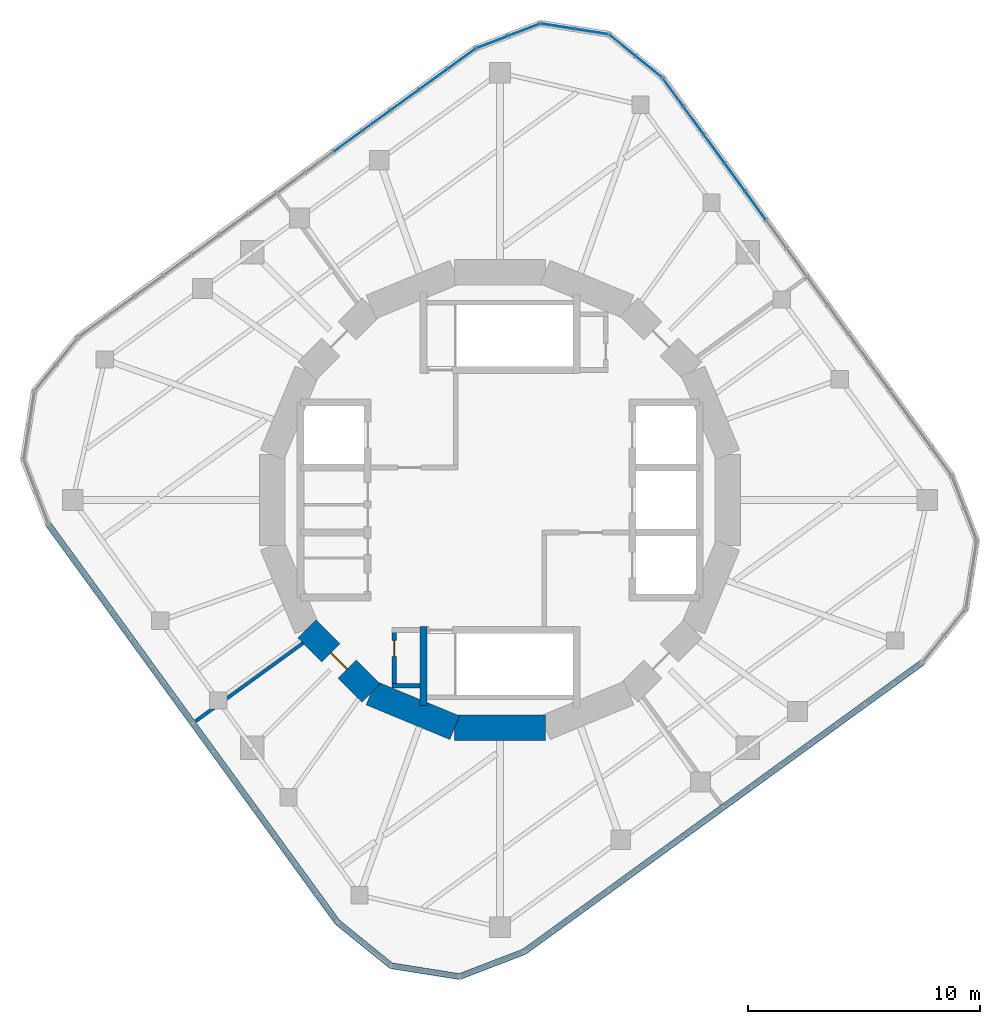
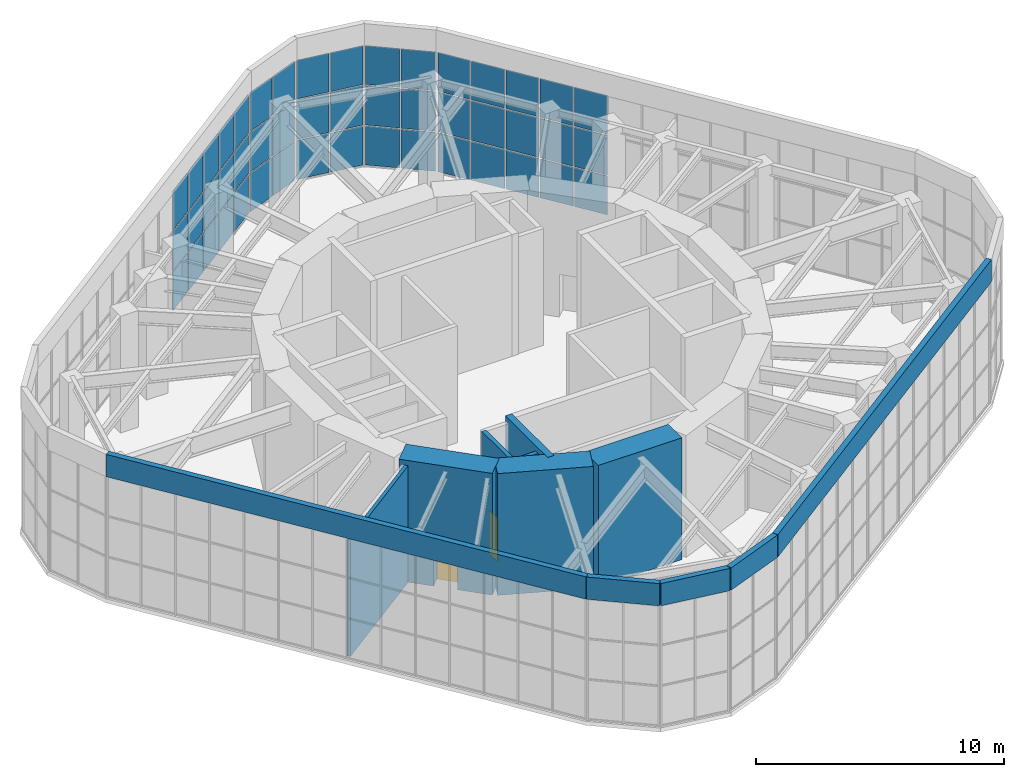
# One storey, part 14 of 17: 48 plates, 12 walls, 2 doors, 2 openings, 5 elements without a shape of their own.
"""IFC4 building model written with IfcOpenShell, lengths in metres."""

from ifc_helpers import new_model, si_unit, direction, frame, frame_2d, origin, origin_2d, place, context, subcontext, project, spatial, rectangle, extrude, material, layer, layer_set, type_object, element, fill, aggregate, save


model = new_model("IFC4")

# Units and contexts
model_context = context("Model", 3, precision=1e-05, world=origin(), true_north=direction((0.0, 1.0)))
body_context = subcontext(model_context, "Body", "Model", "MODEL_VIEW")
ifc_project = project(units=[si_unit("LENGTHUNIT", "METRE"), si_unit("AREAUNIT", "SQUARE_METRE"), si_unit("VOLUMEUNIT", "CUBIC_METRE"), si_unit("PLANEANGLEUNIT", "RADIAN"), si_unit("MASSUNIT", "GRAM", prefix="KILO")], contexts=[model_context])

# Site, building, storey
site_placement = place(None, origin())
site = spatial("IfcSite", under=ifc_project, at=site_placement, CompositionType="ELEMENT")
building_placement = place(site_placement, origin())
building = spatial("IfcBuilding", under=site, at=building_placement, Name="Nakasero Lantern House", CompositionType="ELEMENT")
storey_placement = place(building_placement, frame((0.0, 0.0, 304.39990234375)))
storey = spatial("IfcBuildingStorey", under=building, at=storey_placement, Name="L74", CompositionType="ELEMENT", Elevation=304.39990234375)

# Curtain wall, plates
ifc_material_1 = material(Name="Aluminium 6063-T6 and glass", Category="aluminium")
curtain_wall_type = type_object("IfcCurtainWallType", Name="Lantern glazing CW-4", PredefinedType="USERDEFINED", material=ifc_material_1)
curtain_wall_1_placement = place(storey_placement, origin())
curtain_wall_1 = element("IfcCurtainWall", 1, at=curtain_wall_1_placement, inside=storey, type_object=curtain_wall_type, Name="Curtain wall CW-4 L74", ObjectType="UNITISED CURTAIN WALL", PredefinedType="USERDEFINED")
ifc_material_2 = material(Name="Glass", Category="glass")
ifc_layer_1 = layer(ifc_material_2, 0.028076171875)
ifc_layer_set_1 = layer_set([ifc_layer_1], Name="Glazed panel CW-4")
plate_type = type_object("IfcPlateType", Name="Glazed panel CW-4", PredefinedType="CURTAIN_PANEL", material=ifc_layer_set_1)
plate_1_placement = place(storey_placement, frame((11.002197265625, 12.673095703125, 0.06005859375), z_axis=(0.0, 0.0, 1.0), x_axis=(-0.587785252292, 0.809016994375, 0.0)))
plate_1 = element("IfcPlate", 2, at=plate_1_placement, type_object=plate_type, Name="CW-4 panel 10.1", PredefinedType="CURTAIN_PANEL", context=body_context, shape_type="SweptSolid", body=[
    extrude(rectangle(XDim=1.454345703125, YDim=0.028076171875, at=origin_2d()), origin(), (0.0, 0.0, 1.0), 1.909912109375),
])
plate_2_placement = place(storey_placement, frame((11.002197265625, 12.673095703125, 2.030029296875), z_axis=(0.0, 0.0, 1.0), x_axis=(-0.587785252292, 0.809016994375, 0.0)))
plate_2 = element("IfcPlate", 3, at=plate_2_placement, type_object=plate_type, Name="CW-4 panel 10.2", PredefinedType="CURTAIN_PANEL", context=body_context, shape_type="SweptSolid", body=[
    extrude(rectangle(XDim=1.454345703125, YDim=0.028076171875, at=origin_2d()), origin(), (0.0, 0.0, 1.0), 1.93994140625),
])
plate_3_placement = place(storey_placement, frame((11.002197265625, 12.673095703125, 4.0302734375), z_axis=(0.0, 0.0, 1.0), x_axis=(-0.587785252292, 0.809016994375, 0.0)))
plate_3 = element("IfcPlate", 4, at=plate_3_placement, type_object=plate_type, Name="CW-4 panel 10.3", PredefinedType="CURTAIN_PANEL", context=body_context, shape_type="SweptSolid", body=[
    extrude(rectangle(XDim=1.454345703125, YDim=0.028076171875, at=origin_2d()), origin(), (0.0, 0.0, 1.0), 1.909912109375),
])
plate_4_placement = place(storey_placement, frame((10.112060546875, 13.898193359375, 0.06005859375), z_axis=(0.0, 0.0, 1.0), x_axis=(-0.587785252292, 0.809016994375, 0.0)))
plate_4 = element("IfcPlate", 5, at=plate_4_placement, type_object=plate_type, Name="CW-4 panel 11.1", PredefinedType="CURTAIN_PANEL", context=body_context, shape_type="SweptSolid", body=[
    extrude(rectangle(XDim=1.454345703125, YDim=0.028076171875, at=origin_2d()), origin(), (0.0, 0.0, 1.0), 1.909912109375),
])
plate_5_placement = place(storey_placement, frame((10.112060546875, 13.898193359375, 2.030029296875), z_axis=(0.0, 0.0, 1.0), x_axis=(-0.587785252292, 0.809016994375, 0.0)))
plate_5 = element("IfcPlate", 6, at=plate_5_placement, type_object=plate_type, Name="CW-4 panel 11.2", PredefinedType="CURTAIN_PANEL", context=body_context, shape_type="SweptSolid", body=[
    extrude(rectangle(XDim=1.454345703125, YDim=0.028076171875, at=origin_2d()), origin(), (0.0, 0.0, 1.0), 1.93994140625),
])
plate_6_placement = place(storey_placement, frame((10.112060546875, 13.898193359375, 4.0302734375), z_axis=(0.0, 0.0, 1.0), x_axis=(-0.587785252292, 0.809016994375, 0.0)))
plate_6 = element("IfcPlate", 7, at=plate_6_placement, type_object=plate_type, Name="CW-4 panel 11.3", PredefinedType="CURTAIN_PANEL", context=body_context, shape_type="SweptSolid", body=[
    extrude(rectangle(XDim=1.454345703125, YDim=0.028076171875, at=origin_2d()), origin(), (0.0, 0.0, 1.0), 1.909912109375),
])
plate_7_placement = place(storey_placement, frame((9.22216796875, 15.123046875, 0.06005859375), z_axis=(0.0, 0.0, 1.0), x_axis=(-0.587785252292, 0.809016994375, 0.0)))
plate_7 = element("IfcPlate", 8, at=plate_7_placement, type_object=plate_type, Name="CW-4 panel 12.1", PredefinedType="CURTAIN_PANEL", context=body_context, shape_type="SweptSolid", body=[
    extrude(rectangle(XDim=1.454345703125, YDim=0.028076171875, at=origin_2d()), origin(), (0.0, 0.0, 1.0), 1.909912109375),
])
plate_8_placement = place(storey_placement, frame((9.22216796875, 15.123046875, 2.030029296875), z_axis=(0.0, 0.0, 1.0), x_axis=(-0.587785252292, 0.809016994375, 0.0)))
plate_8 = element("IfcPlate", 9, at=plate_8_placement, type_object=plate_type, Name="CW-4 panel 12.2", PredefinedType="CURTAIN_PANEL", context=body_context, shape_type="SweptSolid", body=[
    extrude(rectangle(XDim=1.454345703125, YDim=0.028076171875, at=origin_2d()), origin(), (0.0, 0.0, 1.0), 1.93994140625),
])
plate_9_placement = place(storey_placement, frame((9.22216796875, 15.123046875, 4.0302734375), z_axis=(0.0, 0.0, 1.0), x_axis=(-0.587785252292, 0.809016994375, 0.0)))
plate_9 = element("IfcPlate", 10, at=plate_9_placement, type_object=plate_type, Name="CW-4 panel 12.3", PredefinedType="CURTAIN_PANEL", context=body_context, shape_type="SweptSolid", body=[
    extrude(rectangle(XDim=1.454345703125, YDim=0.028076171875, at=origin_2d()), origin(), (0.0, 0.0, 1.0), 1.909912109375),
])
plate_10_placement = place(storey_placement, frame((8.33203125, 16.34814453125, 0.06005859375), z_axis=(0.0, 0.0, 1.0), x_axis=(-0.587785252292, 0.809016994375, 0.0)))
plate_10 = element("IfcPlate", 11, at=plate_10_placement, type_object=plate_type, Name="CW-4 panel 13.1", PredefinedType="CURTAIN_PANEL", context=body_context, shape_type="SweptSolid", body=[
    extrude(rectangle(XDim=1.454345703125, YDim=0.028076171875, at=origin_2d()), origin(), (0.0, 0.0, 1.0), 1.909912109375),
])
plate_11_placement = place(storey_placement, frame((8.33203125, 16.34814453125, 2.030029296875), z_axis=(0.0, 0.0, 1.0), x_axis=(-0.587785252292, 0.809016994375, 0.0)))
plate_11 = element("IfcPlate", 12, at=plate_11_placement, type_object=plate_type, Name="CW-4 panel 13.2", PredefinedType="CURTAIN_PANEL", context=body_context, shape_type="SweptSolid", body=[
    extrude(rectangle(XDim=1.454345703125, YDim=0.028076171875, at=origin_2d()), origin(), (0.0, 0.0, 1.0), 1.93994140625),
])
plate_12_placement = place(storey_placement, frame((8.33203125, 16.34814453125, 4.0302734375), z_axis=(0.0, 0.0, 1.0), x_axis=(-0.587785252292, 0.809016994375, 0.0)))
plate_12 = element("IfcPlate", 13, at=plate_12_placement, type_object=plate_type, Name="CW-4 panel 13.3", PredefinedType="CURTAIN_PANEL", context=body_context, shape_type="SweptSolid", body=[
    extrude(rectangle(XDim=1.454345703125, YDim=0.028076171875, at=origin_2d()), origin(), (0.0, 0.0, 1.0), 1.909912109375),
])
plate_13_placement = place(storey_placement, frame((7.45068359375, 17.561279296875, 0.06005859375), z_axis=(0.0, 0.0, 1.0), x_axis=(-0.587785252292, 0.809016994375, 0.0)))
plate_13 = element("IfcPlate", 14, at=plate_13_placement, type_object=plate_type, Name="CW-4 panel 14.1", PredefinedType="CURTAIN_PANEL", context=body_context, shape_type="SweptSolid", body=[
    extrude(rectangle(XDim=1.42431640625, YDim=0.028076171875, at=origin_2d()), origin(), (0.0, 0.0, 1.0), 1.909912109375),
])
plate_14_placement = place(storey_placement, frame((7.45068359375, 17.561279296875, 2.030029296875), z_axis=(0.0, 0.0, 1.0), x_axis=(-0.587785252292, 0.809016994375, 0.0)))
plate_14 = element("IfcPlate", 15, at=plate_14_placement, type_object=plate_type, Name="CW-4 panel 14.2", PredefinedType="CURTAIN_PANEL", context=body_context, shape_type="SweptSolid", body=[
    extrude(rectangle(XDim=1.42431640625, YDim=0.028076171875, at=origin_2d()), origin(), (0.0, 0.0, 1.0), 1.93994140625),
])
plate_15_placement = place(storey_placement, frame((7.45068359375, 17.561279296875, 4.0302734375), z_axis=(0.0, 0.0, 1.0), x_axis=(-0.587785252292, 0.809016994375, 0.0)))
plate_15 = element("IfcPlate", 16, at=plate_15_placement, type_object=plate_type, Name="CW-4 panel 14.3", PredefinedType="CURTAIN_PANEL", context=body_context, shape_type="SweptSolid", body=[
    extrude(rectangle(XDim=1.42431640625, YDim=0.028076171875, at=origin_2d()), origin(), (0.0, 0.0, 1.0), 1.909912109375),
])
aggregate(curtain_wall_1, [plate_1, plate_2, plate_3, plate_4, plate_5, plate_6, plate_7, plate_8, plate_9, plate_10, plate_11, plate_12, plate_13, plate_14, plate_15])

curtain_wall_2_placement = place(storey_placement, origin())
curtain_wall_2 = element("IfcCurtainWall", 17, at=curtain_wall_2_placement, inside=storey, type_object=curtain_wall_type, Name="Curtain wall CW-4 L74", ObjectType="UNITISED CURTAIN WALL", PredefinedType="USERDEFINED")
plate_16_placement = place(storey_placement, frame((6.406982421875, 18.66357421875, 0.06005859375), z_axis=(0.0, 0.0, 1.0), x_axis=(-0.777145961424, 0.629320391091, 0.0)))
plate_16 = element("IfcPlate", 18, at=plate_16_placement, type_object=plate_type, Name="CW-4 panel 1.1", PredefinedType="CURTAIN_PANEL", context=body_context, shape_type="SweptSolid", body=[
    extrude(rectangle(XDim=1.398193359375, YDim=0.028076171875, at=origin_2d()), origin(), (0.0, 0.0, 1.0), 1.909912109375),
])
plate_17_placement = place(storey_placement, frame((6.406982421875, 18.66357421875, 2.030029296875), z_axis=(0.0, 0.0, 1.0), x_axis=(-0.777145961424, 0.629320391091, 0.0)))
plate_17 = element("IfcPlate", 19, at=plate_17_placement, type_object=plate_type, Name="CW-4 panel 1.2", PredefinedType="CURTAIN_PANEL", context=body_context, shape_type="SweptSolid", body=[
    extrude(rectangle(XDim=1.398193359375, YDim=0.028076171875, at=origin_2d()), origin(), (0.0, 0.0, 1.0), 1.93994140625),
])
plate_18_placement = place(storey_placement, frame((6.406982421875, 18.66357421875, 4.0302734375), z_axis=(0.0, 0.0, 1.0), x_axis=(-0.777145961424, 0.629320391091, 0.0)))
plate_18 = element("IfcPlate", 20, at=plate_18_placement, type_object=plate_type, Name="CW-4 panel 1.3", PredefinedType="CURTAIN_PANEL", context=body_context, shape_type="SweptSolid", body=[
    extrude(rectangle(XDim=1.398193359375, YDim=0.028076171875, at=origin_2d()), origin(), (0.0, 0.0, 1.0), 1.909912109375),
])
plate_19_placement = place(storey_placement, frame((5.273681640625, 19.581298828125, 0.06005859375), z_axis=(0.0, 0.0, 1.0), x_axis=(-0.777145961424, 0.629320391091, 0.0)))
plate_19 = element("IfcPlate", 21, at=plate_19_placement, type_object=plate_type, Name="CW-4 panel 2.1", PredefinedType="CURTAIN_PANEL", context=body_context, shape_type="SweptSolid", body=[
    extrude(rectangle(XDim=1.398193359375, YDim=0.028076171875, at=origin_2d()), origin(), (0.0, 0.0, 1.0), 1.909912109375),
])
plate_20_placement = place(storey_placement, frame((5.273681640625, 19.581298828125, 2.030029296875), z_axis=(0.0, 0.0, 1.0), x_axis=(-0.777145961424, 0.629320391091, 0.0)))
plate_20 = element("IfcPlate", 22, at=plate_20_placement, type_object=plate_type, Name="CW-4 panel 2.2", PredefinedType="CURTAIN_PANEL", context=body_context, shape_type="SweptSolid", body=[
    extrude(rectangle(XDim=1.398193359375, YDim=0.028076171875, at=origin_2d()), origin(), (0.0, 0.0, 1.0), 1.93994140625),
])
plate_21_placement = place(storey_placement, frame((5.273681640625, 19.581298828125, 4.0302734375), z_axis=(0.0, 0.0, 1.0), x_axis=(-0.777145961424, 0.629320391091, 0.0)))
plate_21 = element("IfcPlate", 23, at=plate_21_placement, type_object=plate_type, Name="CW-4 panel 2.3", PredefinedType="CURTAIN_PANEL", context=body_context, shape_type="SweptSolid", body=[
    extrude(rectangle(XDim=1.398193359375, YDim=0.028076171875, at=origin_2d()), origin(), (0.0, 0.0, 1.0), 1.909912109375),
])
aggregate(curtain_wall_2, [plate_16, plate_17, plate_18, plate_19, plate_20, plate_21])

curtain_wall_3_placement = place(storey_placement, origin())
curtain_wall_3 = element("IfcCurtainWall", 24, at=curtain_wall_3_placement, inside=storey, type_object=curtain_wall_type, Name="Curtain wall CW-4 L74", ObjectType="UNITISED CURTAIN WALL", PredefinedType="USERDEFINED")
plate_22_placement = place(storey_placement, frame((3.93408203125, 20.177734375, 0.06005859375), z_axis=(0.0, 0.0, 1.0), x_axis=(-0.987688340595, 0.15643446504, 0.0)))
plate_22 = element("IfcPlate", 25, at=plate_22_placement, type_object=plate_type, Name="CW-4 panel 1.1", PredefinedType="CURTAIN_PANEL", context=body_context, shape_type="SweptSolid", body=[
    extrude(rectangle(XDim=1.398193359375, YDim=0.028076171875, at=origin_2d()), origin(), (0.0, 0.0, 1.0), 1.909912109375),
])
plate_23_placement = place(storey_placement, frame((3.93408203125, 20.177734375, 2.030029296875), z_axis=(0.0, 0.0, 1.0), x_axis=(-0.987688340595, 0.15643446504, 0.0)))
plate_23 = element("IfcPlate", 26, at=plate_23_placement, type_object=plate_type, Name="CW-4 panel 1.2", PredefinedType="CURTAIN_PANEL", context=body_context, shape_type="SweptSolid", body=[
    extrude(rectangle(XDim=1.398193359375, YDim=0.028076171875, at=origin_2d()), origin(), (0.0, 0.0, 1.0), 1.93994140625),
])
plate_24_placement = place(storey_placement, frame((3.93408203125, 20.177734375, 4.0302734375), z_axis=(0.0, 0.0, 1.0), x_axis=(-0.987688340595, 0.15643446504, 0.0)))
plate_24 = element("IfcPlate", 27, at=plate_24_placement, type_object=plate_type, Name="CW-4 panel 1.3", PredefinedType="CURTAIN_PANEL", context=body_context, shape_type="SweptSolid", body=[
    extrude(rectangle(XDim=1.398193359375, YDim=0.028076171875, at=origin_2d()), origin(), (0.0, 0.0, 1.0), 1.909912109375),
])
plate_25_placement = place(storey_placement, frame((2.493896484375, 20.40576171875, 0.06005859375), z_axis=(0.0, 0.0, 1.0), x_axis=(-0.987688340595, 0.15643446504, 0.0)))
plate_25 = element("IfcPlate", 28, at=plate_25_placement, type_object=plate_type, Name="CW-4 panel 2.1", PredefinedType="CURTAIN_PANEL", context=body_context, shape_type="SweptSolid", body=[
    extrude(rectangle(XDim=1.398193359375, YDim=0.028076171875, at=origin_2d()), origin(), (0.0, 0.0, 1.0), 1.909912109375),
])
plate_26_placement = place(storey_placement, frame((2.493896484375, 20.40576171875, 2.030029296875), z_axis=(0.0, 0.0, 1.0), x_axis=(-0.987688340595, 0.15643446504, 0.0)))
plate_26 = element("IfcPlate", 29, at=plate_26_placement, type_object=plate_type, Name="CW-4 panel 2.2", PredefinedType="CURTAIN_PANEL", context=body_context, shape_type="SweptSolid", body=[
    extrude(rectangle(XDim=1.398193359375, YDim=0.028076171875, at=origin_2d()), origin(), (0.0, 0.0, 1.0), 1.93994140625),
])
plate_27_placement = place(storey_placement, frame((2.493896484375, 20.40576171875, 4.0302734375), z_axis=(0.0, 0.0, 1.0), x_axis=(-0.987688340595, 0.15643446504, 0.0)))
plate_27 = element("IfcPlate", 30, at=plate_27_placement, type_object=plate_type, Name="CW-4 panel 2.3", PredefinedType="CURTAIN_PANEL", context=body_context, shape_type="SweptSolid", body=[
    extrude(rectangle(XDim=1.398193359375, YDim=0.028076171875, at=origin_2d()), origin(), (0.0, 0.0, 1.0), 1.909912109375),
])
aggregate(curtain_wall_3, [plate_22, plate_23, plate_24, plate_25, plate_26, plate_27])

curtain_wall_4_placement = place(storey_placement, origin())
curtain_wall_4 = element("IfcCurtainWall", 31, at=curtain_wall_4_placement, inside=storey, type_object=curtain_wall_type, Name="Curtain wall CW-4 L74", ObjectType="UNITISED CURTAIN WALL", PredefinedType="USERDEFINED")
plate_28_placement = place(storey_placement, frame((1.035400390625, 20.252685546875, 0.06005859375), z_axis=(0.0, 0.0, 1.0), x_axis=(-0.933580426472, -0.35836794961, 0.0)))
plate_28 = element("IfcPlate", 32, at=plate_28_placement, type_object=plate_type, Name="CW-4 panel 1.1", PredefinedType="CURTAIN_PANEL", context=body_context, shape_type="SweptSolid", body=[
    extrude(rectangle(XDim=1.398193359375, YDim=0.028076171875, at=origin_2d()), origin(), (0.0, 0.0, 1.0), 1.909912109375),
])
plate_29_placement = place(storey_placement, frame((1.035400390625, 20.252685546875, 2.030029296875), z_axis=(0.0, 0.0, 1.0), x_axis=(-0.933580426472, -0.35836794961, 0.0)))
plate_29 = element("IfcPlate", 33, at=plate_29_placement, type_object=plate_type, Name="CW-4 panel 1.2", PredefinedType="CURTAIN_PANEL", context=body_context, shape_type="SweptSolid", body=[
    extrude(rectangle(XDim=1.398193359375, YDim=0.028076171875, at=origin_2d()), origin(), (0.0, 0.0, 1.0), 1.93994140625),
])
plate_30_placement = place(storey_placement, frame((1.035400390625, 20.252685546875, 4.0302734375), z_axis=(0.0, 0.0, 1.0), x_axis=(-0.933580426472, -0.35836794961, 0.0)))
plate_30 = element("IfcPlate", 34, at=plate_30_placement, type_object=plate_type, Name="CW-4 panel 1.3", PredefinedType="CURTAIN_PANEL", context=body_context, shape_type="SweptSolid", body=[
    extrude(rectangle(XDim=1.398193359375, YDim=0.028076171875, at=origin_2d()), origin(), (0.0, 0.0, 1.0), 1.909912109375),
])
plate_31_placement = place(storey_placement, frame((-0.325927734375, 19.72998046875, 0.06005859375), z_axis=(0.0, 0.0, 1.0), x_axis=(-0.933580426472, -0.35836794961, 0.0)))
plate_31 = element("IfcPlate", 35, at=plate_31_placement, type_object=plate_type, Name="CW-4 panel 2.1", PredefinedType="CURTAIN_PANEL", context=body_context, shape_type="SweptSolid", body=[
    extrude(rectangle(XDim=1.398193359375, YDim=0.028076171875, at=origin_2d()), origin(), (0.0, 0.0, 1.0), 1.909912109375),
])
plate_32_placement = place(storey_placement, frame((-0.325927734375, 19.72998046875, 2.030029296875), z_axis=(0.0, 0.0, 1.0), x_axis=(-0.933580426472, -0.35836794961, 0.0)))
plate_32 = element("IfcPlate", 36, at=plate_32_placement, type_object=plate_type, Name="CW-4 panel 2.2", PredefinedType="CURTAIN_PANEL", context=body_context, shape_type="SweptSolid", body=[
    extrude(rectangle(XDim=1.398193359375, YDim=0.028076171875, at=origin_2d()), origin(), (0.0, 0.0, 1.0), 1.93994140625),
])
plate_33_placement = place(storey_placement, frame((-0.325927734375, 19.72998046875, 4.0302734375), z_axis=(0.0, 0.0, 1.0), x_axis=(-0.933580426472, -0.35836794961, 0.0)))
plate_33 = element("IfcPlate", 37, at=plate_33_placement, type_object=plate_type, Name="CW-4 panel 2.3", PredefinedType="CURTAIN_PANEL", context=body_context, shape_type="SweptSolid", body=[
    extrude(rectangle(XDim=1.398193359375, YDim=0.028076171875, at=origin_2d()), origin(), (0.0, 0.0, 1.0), 1.909912109375),
])
aggregate(curtain_wall_4, [plate_28, plate_29, plate_30, plate_31, plate_32, plate_33])

curtain_wall_5_placement = place(storey_placement, origin())
curtain_wall_5 = element("IfcCurtainWall", 38, at=curtain_wall_5_placement, inside=storey, type_object=curtain_wall_type, Name="Curtain wall CW-4 L74", ObjectType="UNITISED CURTAIN WALL", PredefinedType="USERDEFINED")
plate_34_placement = place(storey_placement, frame((-1.659423828125, 19.004150390625, 0.06005859375), z_axis=(0.0, 0.0, 1.0), x_axis=(-0.809016994375, -0.587785252292, 0.0)))
plate_34 = element("IfcPlate", 39, at=plate_34_placement, type_object=plate_type, Name="CW-4 panel 1.1", PredefinedType="CURTAIN_PANEL", context=body_context, shape_type="SweptSolid", body=[
    extrude(rectangle(XDim=1.42431640625, YDim=0.028076171875, at=origin_2d()), origin(), (0.0, 0.0, 1.0), 1.909912109375),
])
plate_35_placement = place(storey_placement, frame((-1.659423828125, 19.004150390625, 2.030029296875), z_axis=(0.0, 0.0, 1.0), x_axis=(-0.809016994375, -0.587785252292, 0.0)))
plate_35 = element("IfcPlate", 40, at=plate_35_placement, type_object=plate_type, Name="CW-4 panel 1.2", PredefinedType="CURTAIN_PANEL", context=body_context, shape_type="SweptSolid", body=[
    extrude(rectangle(XDim=1.42431640625, YDim=0.028076171875, at=origin_2d()), origin(), (0.0, 0.0, 1.0), 1.93994140625),
])
plate_36_placement = place(storey_placement, frame((-1.659423828125, 19.004150390625, 4.0302734375), z_axis=(0.0, 0.0, 1.0), x_axis=(-0.809016994375, -0.587785252292, 0.0)))
plate_36 = element("IfcPlate", 41, at=plate_36_placement, type_object=plate_type, Name="CW-4 panel 1.3", PredefinedType="CURTAIN_PANEL", context=body_context, shape_type="SweptSolid", body=[
    extrude(rectangle(XDim=1.42431640625, YDim=0.028076171875, at=origin_2d()), origin(), (0.0, 0.0, 1.0), 1.909912109375),
])
plate_37_placement = place(storey_placement, frame((-2.872314453125, 18.122802734375, 0.06005859375), z_axis=(0.0, 0.0, 1.0), x_axis=(-0.809016994375, -0.587785252292, 0.0)))
plate_37 = element("IfcPlate", 42, at=plate_37_placement, type_object=plate_type, Name="CW-4 panel 2.1", PredefinedType="CURTAIN_PANEL", context=body_context, shape_type="SweptSolid", body=[
    extrude(rectangle(XDim=1.454345703125, YDim=0.028076171875, at=origin_2d()), origin(), (0.0, 0.0, 1.0), 1.909912109375),
])
plate_38_placement = place(storey_placement, frame((-2.872314453125, 18.122802734375, 2.030029296875), z_axis=(0.0, 0.0, 1.0), x_axis=(-0.809016994375, -0.587785252292, 0.0)))
plate_38 = element("IfcPlate", 43, at=plate_38_placement, type_object=plate_type, Name="CW-4 panel 2.2", PredefinedType="CURTAIN_PANEL", context=body_context, shape_type="SweptSolid", body=[
    extrude(rectangle(XDim=1.454345703125, YDim=0.028076171875, at=origin_2d()), origin(), (0.0, 0.0, 1.0), 1.93994140625),
])
plate_39_placement = place(storey_placement, frame((-2.872314453125, 18.122802734375, 4.0302734375), z_axis=(0.0, 0.0, 1.0), x_axis=(-0.809016994375, -0.587785252292, 0.0)))
plate_39 = element("IfcPlate", 44, at=plate_39_placement, type_object=plate_type, Name="CW-4 panel 2.3", PredefinedType="CURTAIN_PANEL", context=body_context, shape_type="SweptSolid", body=[
    extrude(rectangle(XDim=1.454345703125, YDim=0.028076171875, at=origin_2d()), origin(), (0.0, 0.0, 1.0), 1.909912109375),
])
plate_40_placement = place(storey_placement, frame((-4.097412109375, 17.232666015625, 0.06005859375), z_axis=(0.0, 0.0, 1.0), x_axis=(-0.809016994375, -0.587785252292, 0.0)))
plate_40 = element("IfcPlate", 45, at=plate_40_placement, type_object=plate_type, Name="CW-4 panel 3.1", PredefinedType="CURTAIN_PANEL", context=body_context, shape_type="SweptSolid", body=[
    extrude(rectangle(XDim=1.454345703125, YDim=0.028076171875, at=origin_2d()), origin(), (0.0, 0.0, 1.0), 1.909912109375),
])
plate_41_placement = place(storey_placement, frame((-4.097412109375, 17.232666015625, 2.030029296875), z_axis=(0.0, 0.0, 1.0), x_axis=(-0.809016994375, -0.587785252292, 0.0)))
plate_41 = element("IfcPlate", 46, at=plate_41_placement, type_object=plate_type, Name="CW-4 panel 3.2", PredefinedType="CURTAIN_PANEL", context=body_context, shape_type="SweptSolid", body=[
    extrude(rectangle(XDim=1.454345703125, YDim=0.028076171875, at=origin_2d()), origin(), (0.0, 0.0, 1.0), 1.93994140625),
])
plate_42_placement = place(storey_placement, frame((-4.097412109375, 17.232666015625, 4.0302734375), z_axis=(0.0, 0.0, 1.0), x_axis=(-0.809016994375, -0.587785252292, 0.0)))
plate_42 = element("IfcPlate", 47, at=plate_42_placement, type_object=plate_type, Name="CW-4 panel 3.3", PredefinedType="CURTAIN_PANEL", context=body_context, shape_type="SweptSolid", body=[
    extrude(rectangle(XDim=1.454345703125, YDim=0.028076171875, at=origin_2d()), origin(), (0.0, 0.0, 1.0), 1.909912109375),
])
plate_43_placement = place(storey_placement, frame((-5.322509765625, 16.3427734375, 0.06005859375), z_axis=(0.0, 0.0, 1.0), x_axis=(-0.809016994375, -0.587785252292, 0.0)))
plate_43 = element("IfcPlate", 48, at=plate_43_placement, type_object=plate_type, Name="CW-4 panel 4.1", PredefinedType="CURTAIN_PANEL", context=body_context, shape_type="SweptSolid", body=[
    extrude(rectangle(XDim=1.454345703125, YDim=0.028076171875, at=origin_2d()), origin(), (0.0, 0.0, 1.0), 1.909912109375),
])
plate_44_placement = place(storey_placement, frame((-5.322509765625, 16.3427734375, 2.030029296875), z_axis=(0.0, 0.0, 1.0), x_axis=(-0.809016994375, -0.587785252292, 0.0)))
plate_44 = element("IfcPlate", 49, at=plate_44_placement, type_object=plate_type, Name="CW-4 panel 4.2", PredefinedType="CURTAIN_PANEL", context=body_context, shape_type="SweptSolid", body=[
    extrude(rectangle(XDim=1.454345703125, YDim=0.028076171875, at=origin_2d()), origin(), (0.0, 0.0, 1.0), 1.93994140625),
])
plate_45_placement = place(storey_placement, frame((-5.322509765625, 16.3427734375, 4.0302734375), z_axis=(0.0, 0.0, 1.0), x_axis=(-0.809016994375, -0.587785252292, 0.0)))
plate_45 = element("IfcPlate", 50, at=plate_45_placement, type_object=plate_type, Name="CW-4 panel 4.3", PredefinedType="CURTAIN_PANEL", context=body_context, shape_type="SweptSolid", body=[
    extrude(rectangle(XDim=1.454345703125, YDim=0.028076171875, at=origin_2d()), origin(), (0.0, 0.0, 1.0), 1.909912109375),
])
plate_46_placement = place(storey_placement, frame((-6.547607421875, 15.45263671875, 0.06005859375), z_axis=(0.0, 0.0, 1.0), x_axis=(-0.809016994375, -0.587785252292, 0.0)))
plate_46 = element("IfcPlate", 51, at=plate_46_placement, type_object=plate_type, Name="CW-4 panel 5.1", PredefinedType="CURTAIN_PANEL", context=body_context, shape_type="SweptSolid", body=[
    extrude(rectangle(XDim=1.454345703125, YDim=0.028076171875, at=origin_2d()), origin(), (0.0, 0.0, 1.0), 1.909912109375),
])
plate_47_placement = place(storey_placement, frame((-6.547607421875, 15.45263671875, 2.030029296875), z_axis=(0.0, 0.0, 1.0), x_axis=(-0.809016994375, -0.587785252292, 0.0)))
plate_47 = element("IfcPlate", 52, at=plate_47_placement, type_object=plate_type, Name="CW-4 panel 5.2", PredefinedType="CURTAIN_PANEL", context=body_context, shape_type="SweptSolid", body=[
    extrude(rectangle(XDim=1.454345703125, YDim=0.028076171875, at=origin_2d()), origin(), (0.0, 0.0, 1.0), 1.93994140625),
])
plate_48_placement = place(storey_placement, frame((-6.547607421875, 15.45263671875, 4.0302734375), z_axis=(0.0, 0.0, 1.0), x_axis=(-0.809016994375, -0.587785252292, 0.0)))
plate_48 = element("IfcPlate", 53, at=plate_48_placement, type_object=plate_type, Name="CW-4 panel 5.3", PredefinedType="CURTAIN_PANEL", context=body_context, shape_type="SweptSolid", body=[
    extrude(rectangle(XDim=1.454345703125, YDim=0.028076171875, at=origin_2d()), origin(), (0.0, 0.0, 1.0), 1.909912109375),
])
aggregate(curtain_wall_5, [plate_34, plate_35, plate_36, plate_37, plate_38, plate_39, plate_40, plate_41, plate_42, plate_43, plate_44, plate_45, plate_46, plate_47, plate_48])

# Wall
ifc_material_3 = material(Name="Concrete C50/60", Category="concrete")
ifc_layer_2 = layer(ifc_material_3, 0.300048828125)
ifc_layer_set_2 = layer_set([ifc_layer_2], Name="Core inner wall 300")
wall_type_1 = type_object("IfcWallType", Name="Core inner wall 300", PredefinedType="SHEAR", material=ifc_layer_set_2)
wall_1_placement = place(storey_placement, frame((-3.300048828125, -5.449951171875, 0.0), z_axis=(0.0, 0.0, 1.0), x_axis=(0.0, -1.0, 0.0)))
element("IfcWall", 54, at=wall_1_placement, inside=storey, type_object=wall_type_1, Name="Core inner wall L74 SSW", PredefinedType="SHEAR", context=body_context, shape_type="SweptSolid", body=[
    extrude(rectangle(XDim=3.400146484375, YDim=0.300048828125, at=frame_2d((1.7001953125, 0.0))), origin(), (0.0, 0.0, 1.0), 6.0),
])

# Wall, opening, door
ifc_material_4 = material(Name="Concrete C50/60", Category="concrete")
ifc_layer_3 = layer(ifc_material_4, 1.10009765625)
ifc_layer_set_3 = layer_set([ifc_layer_3], Name="Core wall 1100")
wall_type_2 = type_object("IfcWallType", Name="Core wall 1100", PredefinedType="SHEAR", material=ifc_layer_set_3)
wall_2_placement = place(storey_placement, frame((-8.314697265625, -5.5556640625, 0.0), z_axis=(0.0, 0.0, 1.0), x_axis=(0.707106781187, -0.707106781187, 0.0)))
wall_2 = element("IfcWall", 55, at=wall_2_placement, inside=storey, type_object=wall_type_2, Name="Core wall L74 facet 10", PredefinedType="SHEAR", context=body_context, shape_type="SweptSolid", body=[
    extrude(rectangle(XDim=3.90185546875, YDim=1.10009765625, at=frame_2d((1.950927734375, 0.0))), origin(), (0.0, 0.0, 1.0), 6.0),
])
opening_1_placement = place(wall_2_placement, frame((1.450927734375, 0.0, 0.0)))
opening_1 = element("IfcOpeningElement", 56, at=opening_1_placement, cuts=wall_2, Name="Opening D05", PredefinedType="OPENING", context=body_context, shape_type="SweptSolid", body=[
    extrude(rectangle(XDim=1.0, YDim=2.10009765625, at=frame_2d((0.5, 1.050048828125))), frame((0.0, 0.570068359375, 0.0), z_axis=(0.0, -1.0, 0.0), x_axis=(1.0, 0.0, 0.0)), (0.0, 0.0, 1.0), 1.14013671875),
])
ifc_material_5 = material(Name="Timber C24", Category="wood")
door_type_1 = type_object("IfcDoorType", Name="Core door FD60S 1000", OperationType="SINGLE_SWING_LEFT", PredefinedType="DOOR", material=ifc_material_5)
door_1_placement = place(opening_1_placement, origin())
door_1 = element("IfcDoor", 57, at=door_1_placement, inside=storey, type_object=door_type_1, Name="Door L74 D-CORE10", OperationType="SINGLE_SWING_LEFT", OverallHeight=2.10009765625, OverallWidth=1.0, PredefinedType="DOOR", context=body_context, shape_type="SweptSolid", body=[
    extrude(rectangle(XDim=1.0, YDim=2.10009765625, at=frame_2d((0.5, 1.050048828125))), frame((0.0, 0.02490234375, 0.0), z_axis=(0.0, -1.0, 0.0), x_axis=(1.0, 0.0, 0.0)), (0.0, 0.0, 1.0), 0.050048828125),
])
fill(opening_1, door_1)

# Walls
for number, where, z_axis, x_axis, name in (
    (58, (-5.5556640625, -8.314697265625, 0.0), (0.0, 0.0, 1.0), (0.923876507187, -0.382690736062, 0.0), "Core wall L74 facet 11"),
    (59, (-1.950927734375, -9.807861328125, 0.0), (0.0, 0.0, 1.0), (1.0, 0.0, 0.0), "Core wall L74 facet 12"),
):
    element("IfcWall", number, at=place(storey_placement, frame(where, z_axis=z_axis, x_axis=x_axis)), inside=storey, type_object=wall_type_2, Name=name, PredefinedType="SHEAR", context=body_context, shape_type="SweptSolid", body=[
        extrude(rectangle(XDim=3.90185546875, YDim=1.10009765625, at=frame_2d((1.950927734375, 0.0))), origin(), (0.0, 0.0, 1.0), 6.0),
    ])

# Wall, opening, door
ifc_material_6 = material(Name="Blockwork", Category="masonry")
ifc_layer_4 = layer(ifc_material_6, 0.199951171875)
ifc_layer_set_4 = layer_set([ifc_layer_4], Name="Fire lobby wall 200")
wall_type_3 = type_object("IfcWallType", Name="Fire lobby wall 200", PredefinedType="PARTITIONING", material=ifc_layer_set_4)
wall_3_placement = place(storey_placement, frame((-4.550048828125, -5.60009765625, 0.0), z_axis=(0.0, 0.0, 1.0), x_axis=(0.0, -1.0, 0.0)))
wall_3 = element("IfcWall", 60, at=wall_3_placement, inside=storey, type_object=wall_type_3, Name="Fire lobby wall L74 W-RS2W", PredefinedType="PARTITIONING", context=body_context, shape_type="SweptSolid", body=[
    extrude(rectangle(XDim=2.39990234375, YDim=0.199951171875, at=frame_2d((1.199951171875, 0.0))), origin(), (0.0, 0.0, 1.0), 5.75),
])
opening_2_placement = place(wall_3_placement, frame((0.449951171875, 0.0, 0.0)))
opening_2 = element("IfcOpeningElement", 61, at=opening_2_placement, cuts=wall_3, Name="Opening D06", PredefinedType="OPENING", context=body_context, shape_type="SweptSolid", body=[
    extrude(rectangle(XDim=0.699951171875, YDim=2.10009765625, at=frame_2d((0.35009765625, 1.050048828125))), frame((0.0, 0.119873046875, 0.0), z_axis=(0.0, -1.0, 0.0), x_axis=(1.0, 0.0, 0.0)), (0.0, 0.0, 1.0), 0.239990234375),
])
ifc_material_7 = material(Name="Steel S355", Category="steel")
door_type_2 = type_object("IfcDoorType", Name="Riser door FD60 700", OperationType="SINGLE_SWING_LEFT", PredefinedType="DOOR", material=ifc_material_7)
door_2_placement = place(opening_2_placement, origin())
door_2 = element("IfcDoor", 62, at=door_2_placement, inside=storey, type_object=door_type_2, Name="Door L74 D-RS2", OperationType="SINGLE_SWING_LEFT", OverallHeight=2.10009765625, OverallWidth=0.699951171875, PredefinedType="DOOR", context=body_context, shape_type="SweptSolid", body=[
    extrude(rectangle(XDim=0.699951171875, YDim=2.10009765625, at=frame_2d((0.35009765625, 1.050048828125))), frame((0.0, 0.02490234375, 0.0), z_axis=(0.0, -1.0, 0.0), x_axis=(1.0, 0.0, 0.0)), (0.0, 0.0, 1.0), 0.050048828125),
])
fill(opening_2, door_2)

# Walls
wall_4_placement = place(storey_placement, frame((-3.449951171875, -8.0, 0.0), z_axis=(0.0, 0.0, 1.0), x_axis=(-1.0, 0.0, 0.0)))
element("IfcWall", 63, at=wall_4_placement, inside=storey, type_object=wall_type_3, Name="Fire lobby wall L74 W-RS2S", PredefinedType="PARTITIONING", context=body_context, shape_type="SweptSolid", body=[
    extrude(rectangle(XDim=1.199951171875, YDim=0.199951171875, at=frame_2d((0.60009765625, 0.0))), origin(), (0.0, 0.0, 1.0), 5.75),
])
ifc_material_8 = material(Name="Concrete C35/45", Category="concrete")
ifc_layer_5 = layer(ifc_material_8, 0.25)
ifc_layer_set_5 = layer_set([ifc_layer_5], Name="Parapet 250")
wall_type_4 = type_object("IfcWallType", Name="Parapet 250", PredefinedType="SOLIDWALL", material=ifc_layer_set_5)
wall_5_placement = place(storey_placement, frame((-19.4580078125, -1.03466796875, 6.0), z_axis=(0.0, 0.0, 1.0), x_axis=(0.587790233451, -0.809013375328, 0.0)))
element("IfcWall", 64, at=wall_5_placement, inside=storey, type_object=wall_type_4, Name="Roof parapet RP2S", PredefinedType="SOLIDWALL", context=body_context, shape_type="SweptSolid", body=[
    extrude(rectangle(XDim=21.199951171875, YDim=0.25, at=frame_2d((10.60009765625, 0.0))), origin(), (0.0, 0.0, 1.0), 1.10009765625),
])
wall_6_placement = place(storey_placement, frame((-6.996826171875, -18.185791015625, 6.0), z_axis=(0.0, 0.0, 1.0), x_axis=(0.777101588319, -0.629375183362, 0.0)))
element("IfcWall", 65, at=wall_6_placement, inside=storey, type_object=wall_type_4, Name="Roof parapet RP2C1", PredefinedType="SOLIDWALL", context=body_context, shape_type="SweptSolid", body=[
    extrude(rectangle(XDim=2.976318359375, YDim=0.25, at=frame_2d((1.48828125, 0.0))), origin(), (0.0, 0.0, 1.0), 1.10009765625),
])
wall_7_placement = place(storey_placement, frame((-4.683837890625, -20.05908203125, 6.0), z_axis=(0.0, 0.0, 1.0), x_axis=(0.987691704133, -0.156413227021, 0.0)))
element("IfcWall", 66, at=wall_7_placement, inside=storey, type_object=wall_type_4, Name="Roof parapet RP2C2", PredefinedType="SOLIDWALL", context=body_context, shape_type="SweptSolid", body=[
    extrude(rectangle(XDim=2.9765625, YDim=0.25, at=frame_2d((1.48828125, 0.0))), origin(), (0.0, 0.0, 1.0), 1.10009765625),
])
wall_8_placement = place(storey_placement, frame((-1.743896484375, -20.524658203125, 6.0), z_axis=(0.0, 0.0, 1.0), x_axis=(0.933573745966, 0.35838535244, 0.0)))
element("IfcWall", 67, at=wall_8_placement, inside=storey, type_object=wall_type_4, Name="Roof parapet RP2C3", PredefinedType="SOLIDWALL", context=body_context, shape_type="SweptSolid", body=[
    extrude(rectangle(XDim=2.976318359375, YDim=0.25, at=frame_2d((1.48828125, 0.0))), origin(), (0.0, 0.0, 1.0), 1.10009765625),
])
wall_9_placement = place(storey_placement, frame((1.03466796875, -19.4580078125, 6.0), z_axis=(0.0, 0.0, 1.0), x_axis=(0.809013375328, 0.587790233451, 0.0)))
element("IfcWall", 68, at=wall_9_placement, inside=storey, type_object=wall_type_4, Name="Roof parapet RP3S", PredefinedType="SOLIDWALL", context=body_context, shape_type="SweptSolid", body=[
    extrude(rectangle(XDim=21.199951171875, YDim=0.25, at=frame_2d((10.60009765625, 0.0))), origin(), (0.0, 0.0, 1.0), 1.10009765625),
])
ifc_material_9 = material(Name="Blockwork", Category="masonry")
ifc_layer_6 = layer(ifc_material_9, 0.14990234375)
ifc_layer_set_6 = layer_set([ifc_layer_6], Name="Party wall 150")
wall_type_5 = type_object("IfcWallType", Name="Party wall 150", PredefinedType="PARTITIONING", material=ifc_layer_set_6)
wall_10_placement = place(storey_placement, frame((-8.484130859375, -6.1640625, 0.0), z_axis=(0.0, 0.0, 1.0), x_axis=(-0.809000261443, -0.587808282508, 0.0)))
element("IfcWall", 69, at=wall_10_placement, inside=storey, type_object=wall_type_5, Name="Party wall L74 PZ2", PredefinedType="PARTITIONING", context=body_context, shape_type="SweptSolid", body=[
    extrude(rectangle(XDim=5.712890625, YDim=0.14990234375, at=frame_2d((2.8564453125, 0.0))), origin(), (0.0, 0.0, 1.0), 5.75),
])

save(model, "model.ifc")
